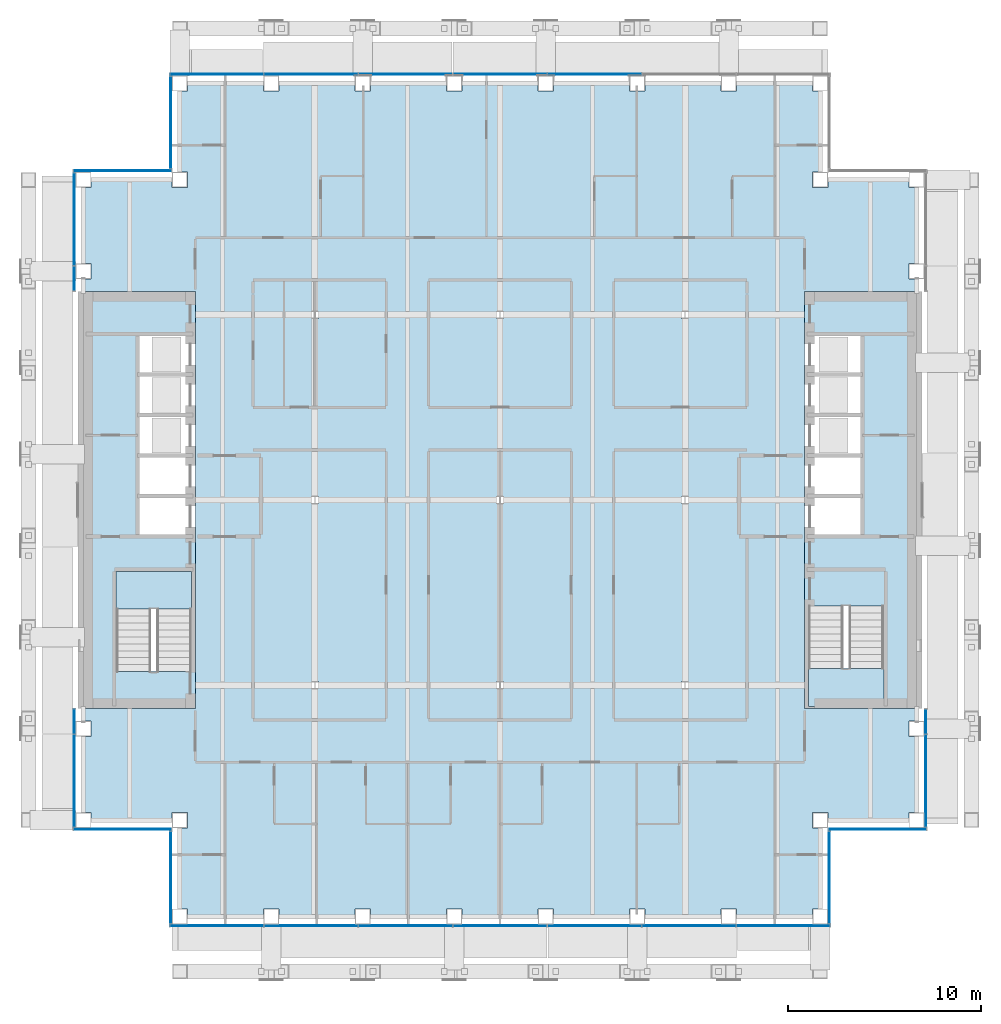
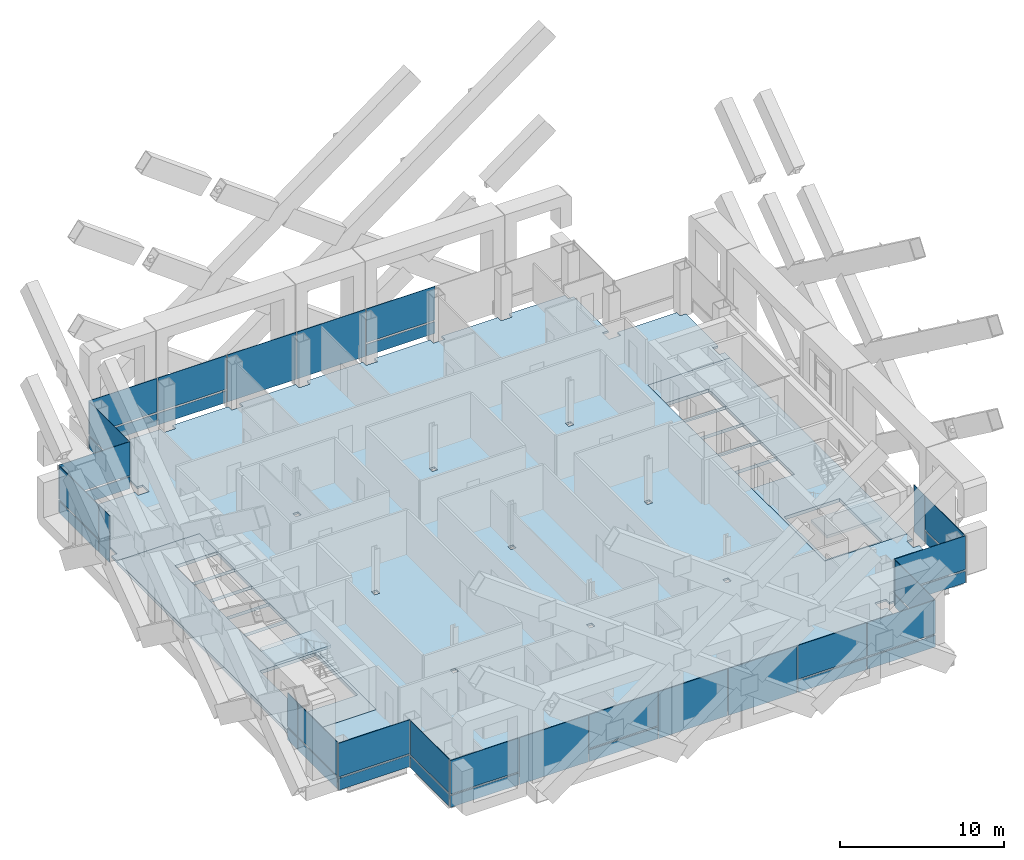
# One storey, part 12 of 25: 41 plates, 5 slabs, 13 elements without a shape of their own.
"""IFC4 building model written with IfcOpenShell, lengths in metres."""

import ifcopenshell
import ifcopenshell.guid

model = None  # the IFC model being written
_history = None  # IfcOwnerHistory: only IFC2X3 demands one
_inside = {}  # id of a spatial element -> (the spatial element, [elements in it])
_under = {}  # id of a project, library or spatial element -> (it, [spatial elements below it])
_declared = {}  # id of a project -> (the project, [libraries it declares])
_typed = {}  # id of a type object -> (the type object, [elements of that type])
_made_of = {}  # id of a material, layer set ... -> (it, [elements and type objects made of it])


def new_model(schema):
    """Start an empty IFC model of exactly this schema.

    Asked for "IFC4X3", IfcOpenShell would pick the latest addendum, in which some entities
    have other attributes; the version numbers below select the first issue.
    IFC2X3 requires an IfcOwnerHistory on every rooted entity: one is made here for all.
    """
    global model, _history
    if schema == "IFC4X3":
        model = ifcopenshell.file(schema_version=(4, 3, 0, 0))
    else:
        model = ifcopenshell.file(schema=schema)
    _inside.clear()
    _under.clear()
    _declared.clear()
    _typed.clear()
    _made_of.clear()
    _history = None
    if model.schema == "IFC2X3":
        org = make("IfcOrganization", Name="unknown")
        user = make(
            "IfcPersonAndOrganization",
            ThePerson=make("IfcPerson", FamilyName="unknown"),
            TheOrganization=org,
        )
        app = make(
            "IfcApplication",
            ApplicationDeveloper=org,
            Version="unknown",
            ApplicationFullName="unknown",
            ApplicationIdentifier="unknown",
        )
        _history = make(
            "IfcOwnerHistory",
            OwningUser=user,
            OwningApplication=app,
            ChangeAction="ADDED",
            CreationDate=0,
        )
    return model


def make(cls, **values):
    """One entity of the class cls with the attributes given. An attribute that is None is left unset."""
    return model.create_entity(
        cls, **{name: value for name, value in values.items() if value is not None}
    )


def rooted(cls, **values):
    """An entity with a GlobalId (a new one), such as an element, a storey or a relation."""
    return make(cls, GlobalId=ifcopenshell.guid.new(), OwnerHistory=_history, **values)


def si_unit(unit_type, name, prefix=None):
    """IfcSIUnit, for example si_unit("LENGTHUNIT", "METRE", prefix="MILLI")."""
    return make("IfcSIUnit", UnitType=unit_type, Prefix=prefix, Name=name)


def assignment(units):
    """IfcUnitAssignment: the units of a project."""
    return None if units is None else make("IfcUnitAssignment", Units=units)


def point(xyz):
    """IfcCartesianPoint."""
    return None if xyz is None else make("IfcCartesianPoint", Coordinates=xyz)


def direction(xyz):
    """IfcDirection."""
    return None if xyz is None else make("IfcDirection", DirectionRatios=xyz)


def frame(location, z_axis=None, x_axis=None):
    """IfcAxis2Placement3D, a coordinate frame: its origin and axes. An axis left out is left unset."""
    return make(
        "IfcAxis2Placement3D",
        Location=point(location),
        Axis=direction(z_axis),
        RefDirection=direction(x_axis),
    )


def frame_2d(location, x_axis=None):
    """IfcAxis2Placement2D, a coordinate frame in the plane: its origin and x axis."""
    return make(
        "IfcAxis2Placement2D", Location=point(location), RefDirection=direction(x_axis)
    )


def origin():
    """The frame at (0, 0, 0) with its axes left unset."""
    return frame((0.0, 0.0, 0.0))


def origin_2d():
    """The frame at (0, 0) in the plane with its x axis left unset."""
    return frame_2d((0.0, 0.0))


def place(relative_to, where):
    """IfcLocalPlacement: puts the frame where relative to a parent placement (None: the world)."""
    return make(
        "IfcLocalPlacement", PlacementRelTo=relative_to, RelativePlacement=where
    )


def context(
    kind, dimensions, precision=None, world=None, true_north=None, identifier=None
):
    """IfcGeometricRepresentationContext, for example the 3D "Model" context."""
    return make(
        "IfcGeometricRepresentationContext",
        ContextIdentifier=identifier,
        ContextType=kind,
        CoordinateSpaceDimension=dimensions,
        Precision=precision,
        WorldCoordinateSystem=world,
        TrueNorth=true_north,
    )


def subcontext(parent, identifier, kind, view, scale=None):
    """IfcGeometricRepresentationSubContext, for example "Body" below "Model"."""
    return make(
        "IfcGeometricRepresentationSubContext",
        ContextIdentifier=identifier,
        ContextType=kind,
        ParentContext=parent,
        TargetScale=scale,
        TargetView=view,
    )


def project(units=None, contexts=None):
    """IfcProject with its units and contexts."""
    return rooted(
        "IfcProject",
        Name="project",
        RepresentationContexts=contexts,
        UnitsInContext=assignment(units),
    )


def spatial(cls, under=None, at=None, **own):
    """A site, building, storey or space (cls), placed at a placement, below another one or the project."""
    s = rooted(cls, ObjectPlacement=at, **own)
    if under is not None:
        _under.setdefault(under.id(), (under, []))[1].append(s)
    return s


def polyline(points):
    """IfcPolyline through the points."""
    return make("IfcPolyline", Points=[point(p) for p in points])


def profile(cls, at=None, kind="AREA", **sizes):
    """A parametric profile (cls). Its sizes go by their IFC names, for example OverallWidth=200.0."""
    return make(cls, ProfileType=kind, Position=at, **sizes)


def rectangle(**sizes):
    """IfcRectangleProfileDef."""
    return profile("IfcRectangleProfileDef", **sizes)


def outline(outer, holes=None, kind="AREA"):
    """IfcArbitraryClosedProfileDef: a profile drawn as a closed curve; with holes, ...WithVoids."""
    if holes is None:
        return make("IfcArbitraryClosedProfileDef", ProfileType=kind, OuterCurve=outer)
    return make(
        "IfcArbitraryProfileDefWithVoids",
        ProfileType=kind,
        OuterCurve=outer,
        InnerCurves=holes,
    )


def extrude(swept, where, along, depth):
    """IfcExtrudedAreaSolid: the profile swept, set in the frame where, extruded along a direction by depth."""
    return make(
        "IfcExtrudedAreaSolid",
        SweptArea=swept,
        Position=where,
        ExtrudedDirection=direction(along),
        Depth=depth,
    )


def shape(context_of_items, identifier, shape_type, items):
    """IfcShapeRepresentation: the items that make up one representation, for example the "Body"."""
    return make(
        "IfcShapeRepresentation",
        ContextOfItems=context_of_items,
        RepresentationIdentifier=identifier,
        RepresentationType=shape_type,
        Items=items,
    )


def material(Name=None, Category=None):
    """IfcMaterial."""
    return make("IfcMaterial", Name=Name, Category=Category)


def layer(
    of_material, thickness, ventilated=None, Name=None, Category=None, Priority=None
):
    """IfcMaterialLayer: one layer of a wall or slab, of a material (None: an air gap)."""
    return make(
        "IfcMaterialLayer",
        Material=of_material,
        LayerThickness=thickness,
        IsVentilated=ventilated,
        Name=Name,
        Category=Category,
        Priority=Priority,
    )


def layer_set(layers, Name=None):
    """IfcMaterialLayerSet."""
    return make("IfcMaterialLayerSet", MaterialLayers=layers, LayerSetName=Name)


def made_of(thing, what):
    """Note that an element or type object is made of a material, layer set ...; save() writes the relation."""
    if what is not None:
        _made_of.setdefault(what.id(), (what, []))[1].append(thing)
    return thing


def type_object(cls, material=None, **own):
    """A type object (cls), such as IfcWallType, which elements share."""
    return made_of(rooted(cls, **own), material)


def element(
    cls,
    number,
    at=None,
    inside=None,
    cuts=None,
    type_object=None,
    material=None,
    context=None,
    identifier="Body",
    shape_type=None,
    held_by="IfcProductDefinitionShape",
    body=None,
    shapes=None,
    **own,
):
    """One element of the class cls, such as IfcWall. Its Tag is "e" and its number.

    at: its placement. inside: the storey or other place that contains it. cuts: it is an
    opening in that element (IfcRelVoidsElement). A single representation is given by context,
    identifier, shape_type and body (its items); several are given by shapes. held_by: the class
    of the entity that holds the representations. save() writes the other relations.
    """
    e = rooted(cls, Tag="e%d" % number, ObjectPlacement=at, **own)
    if body is not None:
        shapes = [shape(context, identifier, shape_type, body)]
    if shapes is not None:
        e.Representation = make(held_by, Representations=shapes)
    if inside is not None:
        _inside.setdefault(inside.id(), (inside, []))[1].append(e)
    if cuts is not None:
        rooted(
            "IfcRelVoidsElement", RelatingBuildingElement=cuts, RelatedOpeningElement=e
        )
    if type_object is not None:
        _typed.setdefault(type_object.id(), (type_object, []))[1].append(e)
    return made_of(e, material)


def aggregate(whole, parts):
    """IfcRelAggregates: a whole, such as a stair, and the parts it consists of."""
    return rooted("IfcRelAggregates", RelatingObject=whole, RelatedObjects=parts)


def save(model, path):
    """Write the relations noted so far, then the file.

    IfcRelAggregates (storeys below a building ...), IfcRelContainedInSpatialStructure (elements
    in a storey), IfcRelDefinesByType, IfcRelAssociatesMaterial and IfcRelDeclares: one each for
    every whole, place, type object, material and project.
    """
    for whole, parts in _under.values():
        aggregate(whole, parts)
    for where, things in _inside.values():
        rooted(
            "IfcRelContainedInSpatialStructure",
            RelatedElements=things,
            RelatingStructure=where,
        )
    for kind, things in _typed.values():
        rooted("IfcRelDefinesByType", RelatedObjects=things, RelatingType=kind)
    for what, things in _made_of.values():
        rooted("IfcRelAssociatesMaterial", RelatedObjects=things, RelatingMaterial=what)
    for by, libraries in _declared.values():
        rooted("IfcRelDeclares", RelatingContext=by, RelatedDefinitions=libraries)
    model.write(path)


model = new_model("IFC4")

# Units and contexts
model_context = context("Model", 3, precision=1e-05, world=origin(), true_north=direction((0.0, 1.0)))
body_context = subcontext(model_context, "Body", "Model", "MODEL_VIEW")
ifc_project = project(units=[si_unit("LENGTHUNIT", "METRE"), si_unit("AREAUNIT", "SQUARE_METRE"), si_unit("VOLUMEUNIT", "CUBIC_METRE"), si_unit("PLANEANGLEUNIT", "RADIAN"), si_unit("MASSUNIT", "GRAM", prefix="KILO")], contexts=[model_context])

# Site, building, storey
site_placement = place(None, origin())
site = spatial("IfcSite", under=ifc_project, at=site_placement, CompositionType="ELEMENT")
building_placement = place(site_placement, origin())
building = spatial("IfcBuilding", under=site, at=building_placement, Name="Cobrizo Arcos Hotel Tower", CompositionType="ELEMENT")
storey_placement = place(building_placement, frame((0.0, 0.0, 148.0)))
storey = spatial("IfcBuildingStorey", under=building, at=storey_placement, Name="L37", CompositionType="ELEMENT", Elevation=148.0)

# Curtain wall, plates
ifc_material_1 = material(Name="Aluminium 6063-T6 anodised bronze", Category="aluminium")
curtain_wall_type = type_object("IfcCurtainWallType", Name="CW-A guest facade", PredefinedType="NOTDEFINED", material=ifc_material_1)
curtain_wall_1_placement = place(storey_placement, origin())
curtain_wall_1 = element("IfcCurtainWall", 1, at=curtain_wall_1_placement, inside=storey, type_object=curtain_wall_type, Name="CW-A L37 S face", PredefinedType="NOTDEFINED")
ifc_material_2 = material(Name="Glass clear laminated low-e", Category="glass")
ifc_layer_1 = layer(ifc_material_2, 0.0400390625)
ifc_layer_set_1 = layer_set([ifc_layer_1], Name="CW-A glass panel")
plate_type_1 = type_object("IfcPlateType", Name="CW-A glass panel", PredefinedType="CURTAIN_PANEL", material=ifc_layer_set_1)
plate_1_placement = place(storey_placement, frame((-14.68505859375, -22.074951171875, 0.990234375), z_axis=(0.0, 0.0, 1.0), x_axis=(1.0, 0.0, 0.0)))
plate_1 = element("IfcPlate", 2, at=plate_1_placement, type_object=plate_type_1, Name="CW-A glass panel 1336", PredefinedType="CURTAIN_PANEL", context=body_context, shape_type="SweptSolid", body=[
    extrude(rectangle(XDim=4.81005859375, YDim=0.0400390625, at=origin_2d()), origin(), (0.0, 0.0, 1.0), 2.510009765625),
])
plate_2_placement = place(storey_placement, frame((-4.89990234375, -22.074951171875, 0.990234375), z_axis=(0.0, 0.0, 1.0), x_axis=(1.0, 0.0, 0.0)))
plate_2 = element("IfcPlate", 3, at=plate_2_placement, type_object=plate_type_1, Name="CW-A glass panel 1338", PredefinedType="CURTAIN_PANEL", context=body_context, shape_type="SweptSolid", body=[
    extrude(rectangle(XDim=4.840087890625, YDim=0.0400390625, at=origin_2d()), origin(), (0.0, 0.0, 1.0), 2.510009765625),
])
plate_3_placement = place(storey_placement, frame((9.800048828125, -22.074951171875, 0.990234375), z_axis=(0.0, 0.0, 1.0), x_axis=(1.0, 0.0, 0.0)))
plate_3 = element("IfcPlate", 4, at=plate_3_placement, type_object=plate_type_1, Name="CW-A glass panel 1341", PredefinedType="CURTAIN_PANEL", context=body_context, shape_type="SweptSolid", body=[
    extrude(rectangle(XDim=4.840087890625, YDim=0.0400390625, at=origin_2d()), origin(), (0.0, 0.0, 1.0), 2.510009765625),
])
plate_4_placement = place(storey_placement, frame((14.68505859375, -22.074951171875, 0.990234375), z_axis=(0.0, 0.0, 1.0), x_axis=(1.0, 0.0, 0.0)))
plate_4 = element("IfcPlate", 5, at=plate_4_placement, type_object=plate_type_1, Name="CW-A glass panel 1342", PredefinedType="CURTAIN_PANEL", context=body_context, shape_type="SweptSolid", body=[
    extrude(rectangle(XDim=4.81005859375, YDim=0.0400390625, at=origin_2d()), origin(), (0.0, 0.0, 1.0), 2.510009765625),
])

# Curtain wall, plate
curtain_wall_2_placement = place(storey_placement, origin())
curtain_wall_2 = element("IfcCurtainWall", 6, at=curtain_wall_2_placement, inside=storey, type_object=curtain_wall_type, Name="CW-A L37 E face", PredefinedType="NOTDEFINED")
plate_5_placement = place(storey_placement, frame((17.074951171875, -19.574951171875, 0.990234375), z_axis=(0.0, 0.0, 1.0), x_axis=(0.0, 1.0, 0.0)))
plate_5 = element("IfcPlate", 7, at=plate_5_placement, type_object=plate_type_1, Name="CW-A glass panel 1343", PredefinedType="CURTAIN_PANEL", context=body_context, shape_type="SweptSolid", body=[
    extrude(rectangle(XDim=4.72998046875, YDim=0.0400390625, at=origin_2d()), origin(), (0.0, 0.0, 1.0), 2.510009765625),
])

curtain_wall_3_placement = place(storey_placement, origin())
curtain_wall_3 = element("IfcCurtainWall", 8, at=curtain_wall_3_placement, inside=storey, type_object=curtain_wall_type, Name="CW-A L37 S face", PredefinedType="NOTDEFINED")
plate_6_placement = place(storey_placement, frame((19.574951171875, -17.074951171875, 0.990234375), z_axis=(0.0, 0.0, 1.0), x_axis=(1.0, 0.0, 0.0)))
plate_6 = element("IfcPlate", 9, at=plate_6_placement, type_object=plate_type_1, Name="CW-A glass panel 1344", PredefinedType="CURTAIN_PANEL", context=body_context, shape_type="SweptSolid", body=[
    extrude(rectangle(XDim=5.030029296875, YDim=0.0400390625, at=origin_2d()), origin(), (0.0, 0.0, 1.0), 2.510009765625),
])

curtain_wall_4_placement = place(storey_placement, origin())
curtain_wall_4 = element("IfcCurtainWall", 10, at=curtain_wall_4_placement, inside=storey, type_object=curtain_wall_type, Name="CW-A L37 E face", PredefinedType="NOTDEFINED")
plate_7_placement = place(storey_placement, frame((22.074951171875, -14.556396484375, 0.990234375), z_axis=(0.0, 0.0, 1.0), x_axis=(0.0, 1.0, 0.0)))
plate_7 = element("IfcPlate", 11, at=plate_7_placement, type_object=plate_type_1, Name="CW-A glass panel 1345", PredefinedType="CURTAIN_PANEL", context=body_context, shape_type="SweptSolid", body=[
    extrude(rectangle(XDim=4.76708984375, YDim=0.0400390625, at=origin_2d()), origin(), (0.0, 0.0, 1.0), 2.510009765625),
])

# Curtain wall, plates
curtain_wall_5_placement = place(storey_placement, origin())
curtain_wall_5 = element("IfcCurtainWall", 12, at=curtain_wall_5_placement, inside=storey, type_object=curtain_wall_type, Name="CW-A L37 N face", PredefinedType="NOTDEFINED")
plate_8_placement = place(storey_placement, frame((4.89990234375, 22.074951171875, 0.990234375), z_axis=(0.0, 0.0, 1.0), x_axis=(-1.0, 0.0, 0.0)))
plate_8 = element("IfcPlate", 13, at=plate_8_placement, type_object=plate_type_1, Name="CW-A glass panel 1353", PredefinedType="CURTAIN_PANEL", context=body_context, shape_type="SweptSolid", body=[
    extrude(rectangle(XDim=4.840087890625, YDim=0.0400390625, at=origin_2d()), origin(), (0.0, 0.0, 1.0), 2.510009765625),
])
plate_9_placement = place(storey_placement, frame((-9.800048828125, 22.074951171875, 0.990234375), z_axis=(0.0, 0.0, 1.0), x_axis=(-1.0, 0.0, 0.0)))
plate_9 = element("IfcPlate", 14, at=plate_9_placement, type_object=plate_type_1, Name="CW-A glass panel 1356", PredefinedType="CURTAIN_PANEL", context=body_context, shape_type="SweptSolid", body=[
    extrude(rectangle(XDim=4.840087890625, YDim=0.0400390625, at=origin_2d()), origin(), (0.0, 0.0, 1.0), 2.510009765625),
])
plate_10_placement = place(storey_placement, frame((-14.68505859375, 22.074951171875, 0.990234375), z_axis=(0.0, 0.0, 1.0), x_axis=(-1.0, 0.0, 0.0)))
plate_10 = element("IfcPlate", 15, at=plate_10_placement, type_object=plate_type_1, Name="CW-A glass panel 1357", PredefinedType="CURTAIN_PANEL", context=body_context, shape_type="SweptSolid", body=[
    extrude(rectangle(XDim=4.81005859375, YDim=0.0400390625, at=origin_2d()), origin(), (0.0, 0.0, 1.0), 2.510009765625),
])

# Curtain wall, plate
curtain_wall_6_placement = place(storey_placement, origin())
curtain_wall_6 = element("IfcCurtainWall", 16, at=curtain_wall_6_placement, inside=storey, type_object=curtain_wall_type, Name="CW-A L37 W face", PredefinedType="NOTDEFINED")
plate_11_placement = place(storey_placement, frame((-17.074951171875, 19.574951171875, 0.990234375), z_axis=(0.0, 0.0, 1.0), x_axis=(0.0, -1.0, 0.0)))
plate_11 = element("IfcPlate", 17, at=plate_11_placement, type_object=plate_type_1, Name="CW-A glass panel 1358", PredefinedType="CURTAIN_PANEL", context=body_context, shape_type="SweptSolid", body=[
    extrude(rectangle(XDim=4.72998046875, YDim=0.0400390625, at=origin_2d()), origin(), (0.0, 0.0, 1.0), 2.510009765625),
])

curtain_wall_7_placement = place(storey_placement, origin())
curtain_wall_7 = element("IfcCurtainWall", 18, at=curtain_wall_7_placement, inside=storey, type_object=curtain_wall_type, Name="CW-A L37 N face", PredefinedType="NOTDEFINED")
plate_12_placement = place(storey_placement, frame((-19.574951171875, 17.074951171875, 0.990234375), z_axis=(0.0, 0.0, 1.0), x_axis=(-1.0, 0.0, 0.0)))
plate_12 = element("IfcPlate", 19, at=plate_12_placement, type_object=plate_type_1, Name="CW-A glass panel 1359", PredefinedType="CURTAIN_PANEL", context=body_context, shape_type="SweptSolid", body=[
    extrude(rectangle(XDim=5.030029296875, YDim=0.0400390625, at=origin_2d()), origin(), (0.0, 0.0, 1.0), 2.510009765625),
])

curtain_wall_8_placement = place(storey_placement, origin())
curtain_wall_8 = element("IfcCurtainWall", 20, at=curtain_wall_8_placement, inside=storey, type_object=curtain_wall_type, Name="CW-A L37 W face", PredefinedType="NOTDEFINED")
plate_13_placement = place(storey_placement, frame((-22.074951171875, 14.556396484375, 0.990234375), z_axis=(0.0, 0.0, 1.0), x_axis=(0.0, -1.0, 0.0)))
plate_13 = element("IfcPlate", 21, at=plate_13_placement, type_object=plate_type_1, Name="CW-A glass panel 1360", PredefinedType="CURTAIN_PANEL", context=body_context, shape_type="SweptSolid", body=[
    extrude(rectangle(XDim=4.76708984375, YDim=0.0400390625, at=origin_2d()), origin(), (0.0, 0.0, 1.0), 2.510009765625),
])

# Curtain wall, plates
curtain_wall_9_placement = place(storey_placement, origin())
curtain_wall_9 = element("IfcCurtainWall", 22, at=curtain_wall_9_placement, inside=storey, type_object=curtain_wall_type, Name="CW-A L37 W face", PredefinedType="NOTDEFINED")
plate_14_placement = place(storey_placement, frame((-22.074951171875, -11.486328125, 0.990234375), z_axis=(0.0, 0.0, 1.0), x_axis=(0.0, -1.0, 0.0)))
plate_14 = element("IfcPlate", 23, at=plate_14_placement, type_object=plate_type_1, Name="CW-A glass panel 1362", PredefinedType="CURTAIN_PANEL", context=body_context, shape_type="SweptSolid", body=[
    extrude(rectangle(XDim=1.2529296875, YDim=0.0400390625, at=origin_2d()), origin(), (0.0, 0.0, 1.0), 2.510009765625),
])
plate_15_placement = place(storey_placement, frame((-22.074951171875, -14.556396484375, 0.990234375), z_axis=(0.0, 0.0, 1.0), x_axis=(0.0, -1.0, 0.0)))
plate_15 = element("IfcPlate", 24, at=plate_15_placement, type_object=plate_type_1, Name="CW-A glass panel 1363", PredefinedType="CURTAIN_PANEL", context=body_context, shape_type="SweptSolid", body=[
    extrude(rectangle(XDim=4.76708984375, YDim=0.0400390625, at=origin_2d()), origin(), (0.0, 0.0, 1.0), 2.510009765625),
])

# Curtain wall, plate
curtain_wall_10_placement = place(storey_placement, origin())
curtain_wall_10 = element("IfcCurtainWall", 25, at=curtain_wall_10_placement, inside=storey, type_object=curtain_wall_type, Name="CW-A L37 S face", PredefinedType="NOTDEFINED")
plate_16_placement = place(storey_placement, frame((-19.574951171875, -17.074951171875, 0.990234375), z_axis=(0.0, 0.0, 1.0), x_axis=(1.0, 0.0, 0.0)))
plate_16 = element("IfcPlate", 26, at=plate_16_placement, type_object=plate_type_1, Name="CW-A glass panel 1364", PredefinedType="CURTAIN_PANEL", context=body_context, shape_type="SweptSolid", body=[
    extrude(rectangle(XDim=5.030029296875, YDim=0.0400390625, at=origin_2d()), origin(), (0.0, 0.0, 1.0), 2.510009765625),
])

curtain_wall_11_placement = place(storey_placement, origin())
curtain_wall_11 = element("IfcCurtainWall", 27, at=curtain_wall_11_placement, inside=storey, type_object=curtain_wall_type, Name="CW-A L37 W face", PredefinedType="NOTDEFINED")
plate_17_placement = place(storey_placement, frame((-17.074951171875, -19.574951171875, 0.990234375), z_axis=(0.0, 0.0, 1.0), x_axis=(0.0, -1.0, 0.0)))
plate_17 = element("IfcPlate", 28, at=plate_17_placement, type_object=plate_type_1, Name="CW-A glass panel 1365", PredefinedType="CURTAIN_PANEL", context=body_context, shape_type="SweptSolid", body=[
    extrude(rectangle(XDim=4.72998046875, YDim=0.0400390625, at=origin_2d()), origin(), (0.0, 0.0, 1.0), 2.510009765625),
])

# Plate
ifc_material_3 = material(Name="Aluminium composite panel pale metal", Category="aluminium")
ifc_layer_2 = layer(ifc_material_3, 0.0400390625)
ifc_layer_set_2 = layer_set([ifc_layer_2], Name="CW-A spandrel panel")
plate_type_2 = type_object("IfcPlateType", Name="CW-A spandrel panel", PredefinedType="CURTAIN_PANEL", material=ifc_layer_set_2)
plate_18_placement = place(storey_placement, frame((-14.68505859375, -22.074951171875, 0.0), z_axis=(0.0, 0.0, 1.0), x_axis=(1.0, 0.0, 0.0)))
plate_18 = element("IfcPlate", 29, at=plate_18_placement, type_object=plate_type_2, Name="CW-A spandrel panel 1336", PredefinedType="CURTAIN_PANEL", context=body_context, shape_type="SweptSolid", body=[
    extrude(rectangle(XDim=4.81005859375, YDim=0.0400390625, at=origin_2d()), origin(), (0.0, 0.0, 1.0), 0.8701171875),
])

plate_19_placement = place(storey_placement, frame((-9.800048828125, -22.074951171875, 0.0), z_axis=(0.0, 0.0, 1.0), x_axis=(1.0, 0.0, 0.0)))
plate_19 = element("IfcPlate", 30, at=plate_19_placement, type_object=plate_type_2, Name="CW-A spandrel panel 1337", PredefinedType="CURTAIN_PANEL", context=body_context, shape_type="SweptSolid", body=[
    extrude(rectangle(XDim=4.840087890625, YDim=0.0400390625, at=origin_2d()), origin(), (0.0, 0.0, 1.0), 3.5),
])

plate_20_placement = place(storey_placement, frame((-4.89990234375, -22.074951171875, 0.0), z_axis=(0.0, 0.0, 1.0), x_axis=(1.0, 0.0, 0.0)))
plate_20 = element("IfcPlate", 31, at=plate_20_placement, type_object=plate_type_2, Name="CW-A spandrel panel 1338", PredefinedType="CURTAIN_PANEL", context=body_context, shape_type="SweptSolid", body=[
    extrude(rectangle(XDim=4.840087890625, YDim=0.0400390625, at=origin_2d()), origin(), (0.0, 0.0, 1.0), 0.8701171875),
])

plate_21_placement = place(storey_placement, frame((0.0, -22.074951171875, 0.0), z_axis=(0.0, 0.0, 1.0), x_axis=(1.0, 0.0, 0.0)))
plate_21 = element("IfcPlate", 32, at=plate_21_placement, type_object=plate_type_2, Name="CW-A spandrel panel 1339", PredefinedType="CURTAIN_PANEL", context=body_context, shape_type="SweptSolid", body=[
    extrude(rectangle(XDim=4.840087890625, YDim=0.0400390625, at=origin_2d()), origin(), (0.0, 0.0, 1.0), 3.5),
])

plate_22_placement = place(storey_placement, frame((4.89990234375, -22.074951171875, 0.0), z_axis=(0.0, 0.0, 1.0), x_axis=(1.0, 0.0, 0.0)))
plate_22 = element("IfcPlate", 33, at=plate_22_placement, type_object=plate_type_2, Name="CW-A spandrel panel 1340", PredefinedType="CURTAIN_PANEL", context=body_context, shape_type="SweptSolid", body=[
    extrude(rectangle(XDim=4.840087890625, YDim=0.0400390625, at=origin_2d()), origin(), (0.0, 0.0, 1.0), 3.5),
])

plate_23_placement = place(storey_placement, frame((9.800048828125, -22.074951171875, 0.0), z_axis=(0.0, 0.0, 1.0), x_axis=(1.0, 0.0, 0.0)))
plate_23 = element("IfcPlate", 34, at=plate_23_placement, type_object=plate_type_2, Name="CW-A spandrel panel 1341", PredefinedType="CURTAIN_PANEL", context=body_context, shape_type="SweptSolid", body=[
    extrude(rectangle(XDim=4.840087890625, YDim=0.0400390625, at=origin_2d()), origin(), (0.0, 0.0, 1.0), 0.8701171875),
])

plate_24_placement = place(storey_placement, frame((14.68505859375, -22.074951171875, 0.0), z_axis=(0.0, 0.0, 1.0), x_axis=(1.0, 0.0, 0.0)))
plate_24 = element("IfcPlate", 35, at=plate_24_placement, type_object=plate_type_2, Name="CW-A spandrel panel 1342", PredefinedType="CURTAIN_PANEL", context=body_context, shape_type="SweptSolid", body=[
    extrude(rectangle(XDim=4.81005859375, YDim=0.0400390625, at=origin_2d()), origin(), (0.0, 0.0, 1.0), 0.8701171875),
])

aggregate(curtain_wall_1, [plate_18, plate_1, plate_19, plate_20, plate_2, plate_21, plate_22, plate_23, plate_3, plate_24, plate_4])

plate_25_placement = place(storey_placement, frame((17.074951171875, -19.574951171875, 0.0), z_axis=(0.0, 0.0, 1.0), x_axis=(0.0, 1.0, 0.0)))
plate_25 = element("IfcPlate", 36, at=plate_25_placement, type_object=plate_type_2, Name="CW-A spandrel panel 1343", PredefinedType="CURTAIN_PANEL", context=body_context, shape_type="SweptSolid", body=[
    extrude(rectangle(XDim=4.72998046875, YDim=0.0400390625, at=origin_2d()), origin(), (0.0, 0.0, 1.0), 0.8701171875),
])

aggregate(curtain_wall_2, [plate_25, plate_5])

plate_26_placement = place(storey_placement, frame((19.574951171875, -17.074951171875, 0.0), z_axis=(0.0, 0.0, 1.0), x_axis=(1.0, 0.0, 0.0)))
plate_26 = element("IfcPlate", 37, at=plate_26_placement, type_object=plate_type_2, Name="CW-A spandrel panel 1344", PredefinedType="CURTAIN_PANEL", context=body_context, shape_type="SweptSolid", body=[
    extrude(rectangle(XDim=5.030029296875, YDim=0.0400390625, at=origin_2d()), origin(), (0.0, 0.0, 1.0), 0.8701171875),
])

aggregate(curtain_wall_3, [plate_26, plate_6])

plate_27_placement = place(storey_placement, frame((22.074951171875, -14.556396484375, 0.0), z_axis=(0.0, 0.0, 1.0), x_axis=(0.0, 1.0, 0.0)))
plate_27 = element("IfcPlate", 38, at=plate_27_placement, type_object=plate_type_2, Name="CW-A spandrel panel 1345", PredefinedType="CURTAIN_PANEL", context=body_context, shape_type="SweptSolid", body=[
    extrude(rectangle(XDim=4.76708984375, YDim=0.0400390625, at=origin_2d()), origin(), (0.0, 0.0, 1.0), 0.8701171875),
])

plate_28_placement = place(storey_placement, frame((22.074951171875, -11.486328125, 0.0), z_axis=(0.0, 0.0, 1.0), x_axis=(0.0, 1.0, 0.0)))
plate_28 = element("IfcPlate", 39, at=plate_28_placement, type_object=plate_type_2, Name="CW-A spandrel panel 1346", PredefinedType="CURTAIN_PANEL", context=body_context, shape_type="SweptSolid", body=[
    extrude(rectangle(XDim=1.2529296875, YDim=0.0400390625, at=origin_2d()), origin(), (0.0, 0.0, 1.0), 3.5),
])

aggregate(curtain_wall_4, [plate_27, plate_7, plate_28])

plate_29_placement = place(storey_placement, frame((4.89990234375, 22.074951171875, 0.0), z_axis=(0.0, 0.0, 1.0), x_axis=(-1.0, 0.0, 0.0)))
plate_29 = element("IfcPlate", 40, at=plate_29_placement, type_object=plate_type_2, Name="CW-A spandrel panel 1353", PredefinedType="CURTAIN_PANEL", context=body_context, shape_type="SweptSolid", body=[
    extrude(rectangle(XDim=4.840087890625, YDim=0.0400390625, at=origin_2d()), origin(), (0.0, 0.0, 1.0), 0.8701171875),
])

plate_30_placement = place(storey_placement, frame((0.0, 22.074951171875, 0.0), z_axis=(0.0, 0.0, 1.0), x_axis=(-1.0, 0.0, 0.0)))
plate_30 = element("IfcPlate", 41, at=plate_30_placement, type_object=plate_type_2, Name="CW-A spandrel panel 1354", PredefinedType="CURTAIN_PANEL", context=body_context, shape_type="SweptSolid", body=[
    extrude(rectangle(XDim=4.840087890625, YDim=0.0400390625, at=origin_2d()), origin(), (0.0, 0.0, 1.0), 3.5),
])

plate_31_placement = place(storey_placement, frame((-4.89990234375, 22.074951171875, 0.0), z_axis=(0.0, 0.0, 1.0), x_axis=(-1.0, 0.0, 0.0)))
plate_31 = element("IfcPlate", 42, at=plate_31_placement, type_object=plate_type_2, Name="CW-A spandrel panel 1355", PredefinedType="CURTAIN_PANEL", context=body_context, shape_type="SweptSolid", body=[
    extrude(rectangle(XDim=4.840087890625, YDim=0.0400390625, at=origin_2d()), origin(), (0.0, 0.0, 1.0), 3.5),
])

plate_32_placement = place(storey_placement, frame((-9.800048828125, 22.074951171875, 0.0), z_axis=(0.0, 0.0, 1.0), x_axis=(-1.0, 0.0, 0.0)))
plate_32 = element("IfcPlate", 43, at=plate_32_placement, type_object=plate_type_2, Name="CW-A spandrel panel 1356", PredefinedType="CURTAIN_PANEL", context=body_context, shape_type="SweptSolid", body=[
    extrude(rectangle(XDim=4.840087890625, YDim=0.0400390625, at=origin_2d()), origin(), (0.0, 0.0, 1.0), 0.8701171875),
])

plate_33_placement = place(storey_placement, frame((-14.68505859375, 22.074951171875, 0.0), z_axis=(0.0, 0.0, 1.0), x_axis=(-1.0, 0.0, 0.0)))
plate_33 = element("IfcPlate", 44, at=plate_33_placement, type_object=plate_type_2, Name="CW-A spandrel panel 1357", PredefinedType="CURTAIN_PANEL", context=body_context, shape_type="SweptSolid", body=[
    extrude(rectangle(XDim=4.81005859375, YDim=0.0400390625, at=origin_2d()), origin(), (0.0, 0.0, 1.0), 0.8701171875),
])

aggregate(curtain_wall_5, [plate_29, plate_8, plate_30, plate_31, plate_32, plate_9, plate_33, plate_10])

plate_34_placement = place(storey_placement, frame((-17.074951171875, 19.574951171875, 0.0), z_axis=(0.0, 0.0, 1.0), x_axis=(0.0, -1.0, 0.0)))
plate_34 = element("IfcPlate", 45, at=plate_34_placement, type_object=plate_type_2, Name="CW-A spandrel panel 1358", PredefinedType="CURTAIN_PANEL", context=body_context, shape_type="SweptSolid", body=[
    extrude(rectangle(XDim=4.72998046875, YDim=0.0400390625, at=origin_2d()), origin(), (0.0, 0.0, 1.0), 0.8701171875),
])

aggregate(curtain_wall_6, [plate_34, plate_11])

plate_35_placement = place(storey_placement, frame((-19.574951171875, 17.074951171875, 0.0), z_axis=(0.0, 0.0, 1.0), x_axis=(-1.0, 0.0, 0.0)))
plate_35 = element("IfcPlate", 46, at=plate_35_placement, type_object=plate_type_2, Name="CW-A spandrel panel 1359", PredefinedType="CURTAIN_PANEL", context=body_context, shape_type="SweptSolid", body=[
    extrude(rectangle(XDim=5.030029296875, YDim=0.0400390625, at=origin_2d()), origin(), (0.0, 0.0, 1.0), 0.8701171875),
])

aggregate(curtain_wall_7, [plate_35, plate_12])

plate_36_placement = place(storey_placement, frame((-22.074951171875, 14.556396484375, 0.0), z_axis=(0.0, 0.0, 1.0), x_axis=(0.0, -1.0, 0.0)))
plate_36 = element("IfcPlate", 47, at=plate_36_placement, type_object=plate_type_2, Name="CW-A spandrel panel 1360", PredefinedType="CURTAIN_PANEL", context=body_context, shape_type="SweptSolid", body=[
    extrude(rectangle(XDim=4.76708984375, YDim=0.0400390625, at=origin_2d()), origin(), (0.0, 0.0, 1.0), 0.8701171875),
])

plate_37_placement = place(storey_placement, frame((-22.074951171875, 11.486328125, 0.0), z_axis=(0.0, 0.0, 1.0), x_axis=(0.0, -1.0, 0.0)))
plate_37 = element("IfcPlate", 48, at=plate_37_placement, type_object=plate_type_2, Name="CW-A spandrel panel 1361", PredefinedType="CURTAIN_PANEL", context=body_context, shape_type="SweptSolid", body=[
    extrude(rectangle(XDim=1.2529296875, YDim=0.0400390625, at=origin_2d()), origin(), (0.0, 0.0, 1.0), 3.5),
])

aggregate(curtain_wall_8, [plate_36, plate_13, plate_37])

plate_38_placement = place(storey_placement, frame((-22.074951171875, -11.486328125, 0.0), z_axis=(0.0, 0.0, 1.0), x_axis=(0.0, -1.0, 0.0)))
plate_38 = element("IfcPlate", 49, at=plate_38_placement, type_object=plate_type_2, Name="CW-A spandrel panel 1362", PredefinedType="CURTAIN_PANEL", context=body_context, shape_type="SweptSolid", body=[
    extrude(rectangle(XDim=1.2529296875, YDim=0.0400390625, at=origin_2d()), origin(), (0.0, 0.0, 1.0), 0.8701171875),
])

plate_39_placement = place(storey_placement, frame((-22.074951171875, -14.556396484375, 0.0), z_axis=(0.0, 0.0, 1.0), x_axis=(0.0, -1.0, 0.0)))
plate_39 = element("IfcPlate", 50, at=plate_39_placement, type_object=plate_type_2, Name="CW-A spandrel panel 1363", PredefinedType="CURTAIN_PANEL", context=body_context, shape_type="SweptSolid", body=[
    extrude(rectangle(XDim=4.76708984375, YDim=0.0400390625, at=origin_2d()), origin(), (0.0, 0.0, 1.0), 0.8701171875),
])

aggregate(curtain_wall_9, [plate_38, plate_14, plate_39, plate_15])

plate_40_placement = place(storey_placement, frame((-19.574951171875, -17.074951171875, 0.0), z_axis=(0.0, 0.0, 1.0), x_axis=(1.0, 0.0, 0.0)))
plate_40 = element("IfcPlate", 51, at=plate_40_placement, type_object=plate_type_2, Name="CW-A spandrel panel 1364", PredefinedType="CURTAIN_PANEL", context=body_context, shape_type="SweptSolid", body=[
    extrude(rectangle(XDim=5.030029296875, YDim=0.0400390625, at=origin_2d()), origin(), (0.0, 0.0, 1.0), 0.8701171875),
])

aggregate(curtain_wall_10, [plate_40, plate_16])

plate_41_placement = place(storey_placement, frame((-17.074951171875, -19.574951171875, 0.0), z_axis=(0.0, 0.0, 1.0), x_axis=(0.0, -1.0, 0.0)))
plate_41 = element("IfcPlate", 52, at=plate_41_placement, type_object=plate_type_2, Name="CW-A spandrel panel 1365", PredefinedType="CURTAIN_PANEL", context=body_context, shape_type="SweptSolid", body=[
    extrude(rectangle(XDim=4.72998046875, YDim=0.0400390625, at=origin_2d()), origin(), (0.0, 0.0, 1.0), 0.8701171875),
])

aggregate(curtain_wall_11, [plate_41, plate_17])

# Slabs
ifc_material_4 = material(Name="Concrete f'c 35 MPa", Category="concrete")
ifc_layer_3 = layer(ifc_material_4, 0.14990234375)
ifc_layer_set_3 = layer_set([ifc_layer_3], Name="Composite floor slab 150 f'c 35")
slab_type_1 = type_object("IfcSlabType", Name="Composite floor slab 150 f'c 35", PredefinedType="FLOOR", material=ifc_layer_set_3)
slab_1_placement = place(storey_placement, frame((0.0, 0.0, -0.14990234375)))
element("IfcSlab", 53, at=slab_1_placement, inside=storey, type_object=slab_type_1, Name="Floor slab S5, L37, no. 01", PredefinedType="FLOOR", context=body_context, shape_type="SweptSolid", body=[
    extrude(outline(polyline([(-16.199951171875, -21.60009765625), (-16.199951171875, -21.199951171875), (-16.60009765625, -21.199951171875), (-16.60009765625, -17.0), (-16.199951171875, -17.0), (-16.199951171875, -16.199951171875), (-17.0, -16.199951171875), (-17.0, -16.60009765625), (-21.199951171875, -16.60009765625), (-21.199951171875, -16.199951171875), (-21.60009765625, -16.199951171875), (-21.60009765625, -12.257080078125), (-21.199951171875, -12.257080078125), (-21.199951171875, -11.45703125), (-21.60009765625, -11.45703125), (-21.60009765625, -10.800048828125), (-15.800048828125, -10.800048828125), (-15.800048828125, 10.800048828125), (-21.60009765625, 10.800048828125), (-21.60009765625, 11.45703125), (-21.199951171875, 11.45703125), (-21.199951171875, 12.257080078125), (-21.60009765625, 12.257080078125), (-21.60009765625, 16.199951171875), (-21.199951171875, 16.199951171875), (-21.199951171875, 16.60009765625), (-17.0, 16.60009765625), (-17.0, 16.199951171875), (-16.199951171875, 16.199951171875), (-16.199951171875, 17.0), (-16.60009765625, 17.0), (-16.60009765625, 21.199951171875), (-16.199951171875, 21.199951171875), (-16.199951171875, 21.60009765625), (-12.257080078125, 21.60009765625), (-12.257080078125, 21.199951171875), (-11.45703125, 21.199951171875), (-11.45703125, 21.60009765625), (-7.513916015625, 21.60009765625), (-7.513916015625, 21.199951171875), (-6.714111328125, 21.199951171875), (-6.714111328125, 21.60009765625), (-2.77099609375, 21.60009765625), (-2.77099609375, 21.199951171875), (-1.970947265625, 21.199951171875), (-1.970947265625, 21.60009765625), (1.970947265625, 21.60009765625), (1.970947265625, 21.199951171875), (2.77099609375, 21.199951171875), (2.77099609375, 21.60009765625), (6.714111328125, 21.60009765625), (6.714111328125, 21.199951171875), (7.513916015625, 21.199951171875), (7.513916015625, 21.60009765625), (11.45703125, 21.60009765625), (11.45703125, 21.199951171875), (12.257080078125, 21.199951171875), (12.257080078125, 21.60009765625), (16.199951171875, 21.60009765625), (16.199951171875, 21.199951171875), (16.60009765625, 21.199951171875), (16.60009765625, 17.0), (16.199951171875, 17.0), (16.199951171875, 16.199951171875), (17.0, 16.199951171875), (17.0, 16.60009765625), (21.199951171875, 16.60009765625), (21.199951171875, 16.199951171875), (21.60009765625, 16.199951171875), (21.60009765625, 12.257080078125), (21.199951171875, 12.257080078125), (21.199951171875, 11.45703125), (21.60009765625, 11.45703125), (21.60009765625, 10.800048828125), (15.800048828125, 10.800048828125), (15.800048828125, -10.800048828125), (21.60009765625, -10.800048828125), (21.60009765625, -11.45703125), (21.199951171875, -11.45703125), (21.199951171875, -12.257080078125), (21.60009765625, -12.257080078125), (21.60009765625, -16.199951171875), (21.199951171875, -16.199951171875), (21.199951171875, -16.60009765625), (17.0, -16.60009765625), (17.0, -16.199951171875), (16.199951171875, -16.199951171875), (16.199951171875, -17.0), (16.60009765625, -17.0), (16.60009765625, -21.199951171875), (16.199951171875, -21.199951171875), (16.199951171875, -21.60009765625), (12.257080078125, -21.60009765625), (12.257080078125, -21.199951171875), (11.45703125, -21.199951171875), (11.45703125, -21.60009765625), (7.513916015625, -21.60009765625), (7.513916015625, -21.199951171875), (6.714111328125, -21.199951171875), (6.714111328125, -21.60009765625), (2.77099609375, -21.60009765625), (2.77099609375, -21.199951171875), (1.970947265625, -21.199951171875), (1.970947265625, -21.60009765625), (-1.970947265625, -21.60009765625), (-1.970947265625, -21.199951171875), (-2.77099609375, -21.199951171875), (-2.77099609375, -21.60009765625), (-6.714111328125, -21.60009765625), (-6.714111328125, -21.199951171875), (-7.513916015625, -21.199951171875), (-7.513916015625, -21.60009765625), (-11.45703125, -21.60009765625), (-11.45703125, -21.199951171875), (-12.257080078125, -21.199951171875), (-12.257080078125, -21.60009765625), (-16.199951171875, -21.60009765625)]), holes=[polyline([(-0.186767578125, -9.78662109375), (0.186767578125, -9.78662109375), (0.186767578125, -9.413330078125), (-0.186767578125, -9.413330078125), (-0.186767578125, -9.78662109375)]), polyline([(-9.78662109375, -9.78662109375), (-9.413330078125, -9.78662109375), (-9.413330078125, -9.413330078125), (-9.78662109375, -9.413330078125), (-9.78662109375, -9.78662109375)]), polyline([(-9.413330078125, -0.186767578125), (-9.413330078125, 0.186767578125), (-9.78662109375, 0.186767578125), (-9.78662109375, -0.186767578125), (-9.413330078125, -0.186767578125)]), polyline([(0.186767578125, -0.186767578125), (0.186767578125, 0.186767578125), (-0.186767578125, 0.186767578125), (-0.186767578125, -0.186767578125), (0.186767578125, -0.186767578125)]), polyline([(-9.78662109375, 9.413330078125), (-9.413330078125, 9.413330078125), (-9.413330078125, 9.78662109375), (-9.78662109375, 9.78662109375), (-9.78662109375, 9.413330078125)]), polyline([(9.413330078125, -9.78662109375), (9.78662109375, -9.78662109375), (9.78662109375, -9.413330078125), (9.413330078125, -9.413330078125), (9.413330078125, -9.78662109375)]), polyline([(9.413330078125, -0.186767578125), (9.78662109375, -0.186767578125), (9.78662109375, 0.186767578125), (9.413330078125, 0.186767578125), (9.413330078125, -0.186767578125)]), polyline([(9.78662109375, 9.413330078125), (9.78662109375, 9.78662109375), (9.413330078125, 9.78662109375), (9.413330078125, 9.413330078125), (9.78662109375, 9.413330078125)]), polyline([(0.186767578125, 9.413330078125), (0.186767578125, 9.78662109375), (-0.186767578125, 9.78662109375), (-0.186767578125, 9.413330078125), (0.186767578125, 9.413330078125)])]), origin(), (0.0, 0.0, 1.0), 0.14990234375),
])
ifc_material_5 = material(Name="Concrete f'c 50 MPa", Category="concrete")
ifc_layer_4 = layer(ifc_material_5, 0.25)
ifc_layer_set_4 = layer_set([ifc_layer_4], Name="RC core floor slab 250 f'c 50")
slab_type_2 = type_object("IfcSlabType", Name="RC core floor slab 250 f'c 50", PredefinedType="FLOOR", material=ifc_layer_set_4)
slab_2_placement = place(storey_placement, frame((0.0, 0.0, -0.25)))
element("IfcSlab", 54, at=slab_2_placement, inside=storey, type_object=slab_type_2, Name="Core floor slab CS5, east core, L37", PredefinedType="FLOOR", context=body_context, shape_type="SweptSolid", body=[
    extrude(outline(polyline([(15.800048828125, 10.800048828125), (21.60009765625, 10.800048828125), (21.60009765625, -10.800048828125), (15.800048828125, -10.800048828125), (15.800048828125, 10.800048828125)]), holes=[polyline([(19.89794921875, -10.697998046875), (19.89794921875, -5.501953125), (16.001953125, -5.501953125), (16.001953125, -10.697998046875), (19.89794921875, -10.697998046875)]), polyline([(15.802001953125, 0.197998046875), (15.802001953125, -1.89794921875), (18.798095703125, -1.89794921875), (18.798095703125, 0.197998046875), (15.802001953125, 0.197998046875)]), polyline([(15.802001953125, 2.298095703125), (15.802001953125, 0.201904296875), (18.798095703125, 0.201904296875), (18.798095703125, 2.298095703125), (15.802001953125, 2.298095703125)]), polyline([(15.802001953125, 4.39794921875), (15.802001953125, 2.302001953125), (18.798095703125, 2.302001953125), (18.798095703125, 4.39794921875), (15.802001953125, 4.39794921875)]), polyline([(18.798095703125, 6.498046875), (15.802001953125, 6.498046875), (15.802001953125, 4.402099609375), (18.798095703125, 4.402099609375), (18.798095703125, 6.498046875)]), polyline([(18.798095703125, 8.597900390625), (15.802001953125, 8.597900390625), (15.802001953125, 6.501953125), (18.798095703125, 6.501953125), (18.798095703125, 8.597900390625)])]), origin(), (0.0, 0.0, 1.0), 0.25),
])
slab_3_placement = place(storey_placement, frame((0.0, 0.0, -0.25)))
element("IfcSlab", 55, at=slab_3_placement, inside=storey, type_object=slab_type_2, Name="Core floor slab CS5, west core, L37", PredefinedType="FLOOR", context=body_context, shape_type="SweptSolid", body=[
    extrude(outline(polyline([(-21.60009765625, 10.800048828125), (-15.800048828125, 10.800048828125), (-15.800048828125, -10.800048828125), (-21.60009765625, -10.800048828125), (-21.60009765625, 10.800048828125)]), holes=[polyline([(-19.89794921875, -3.701904296875), (-19.89794921875, -8.89794921875), (-16.001953125, -8.89794921875), (-16.001953125, -3.701904296875), (-19.89794921875, -3.701904296875)]), polyline([(-18.798095703125, 0.197998046875), (-18.798095703125, -1.89794921875), (-15.802001953125, -1.89794921875), (-15.802001953125, 0.197998046875), (-18.798095703125, 0.197998046875)]), polyline([(-18.798095703125, 2.298095703125), (-18.798095703125, 0.201904296875), (-15.802001953125, 0.201904296875), (-15.802001953125, 2.298095703125), (-18.798095703125, 2.298095703125)]), polyline([(-18.798095703125, 4.39794921875), (-18.798095703125, 2.302001953125), (-15.802001953125, 2.302001953125), (-15.802001953125, 4.39794921875), (-18.798095703125, 4.39794921875)]), polyline([(-15.802001953125, 6.498046875), (-18.798095703125, 6.498046875), (-18.798095703125, 4.402099609375), (-15.802001953125, 4.402099609375), (-15.802001953125, 6.498046875)]), polyline([(-15.802001953125, 8.597900390625), (-18.798095703125, 8.597900390625), (-18.798095703125, 6.501953125), (-15.802001953125, 6.501953125), (-15.802001953125, 8.597900390625)])]), origin(), (0.0, 0.0, 1.0), 0.25),
])

# Stair, slab
ifc_material_6 = material(Name="Concrete f'c 40 MPa", Category="concrete")
stair_type = type_object("IfcStairType", Name="Exit stair", PredefinedType="HALF_TURN_STAIR", material=ifc_material_6)
stair_1_placement = place(storey_placement, origin())
stair_1 = element("IfcStair", 56, at=stair_1_placement, inside=storey, type_object=stair_type, Name="L37 Exit stair ST-W", PredefinedType="HALF_TURN_STAIR")
ifc_layer_5 = layer(ifc_material_6, 0.199951171875)
ifc_layer_set_5 = layer_set([ifc_layer_5], Name="Stair landing")
slab_type_3 = type_object("IfcSlabType", Name="Stair landing", PredefinedType="LANDING", material=ifc_layer_set_5)
slab_4_placement = place(storey_placement, frame((0.0, 0.0, 1.550048828125)))
slab_4 = element("IfcSlab", 57, at=slab_4_placement, type_object=slab_type_3, Name="ST-W landing 1", PredefinedType="LANDING", context=body_context, shape_type="SweptSolid", body=[
    extrude(outline(polyline([(-16.0, -5.659912109375), (-16.0, -3.699951171875), (-19.89990234375, -3.699951171875), (-19.89990234375, -5.659912109375), (-16.0, -5.659912109375)])), origin(), (0.0, 0.0, 1.0), 0.199951171875),
])
aggregate(stair_1, [slab_4])

stair_2_placement = place(storey_placement, origin())
stair_2 = element("IfcStair", 58, at=stair_2_placement, inside=storey, type_object=stair_type, Name="L37 Exit stair ST-E", PredefinedType="HALF_TURN_STAIR")
slab_5_placement = place(storey_placement, frame((0.0, 0.0, 1.550048828125)))
slab_5 = element("IfcSlab", 59, at=slab_5_placement, type_object=slab_type_3, Name="ST-E landing 1", PredefinedType="LANDING", context=body_context, shape_type="SweptSolid", body=[
    extrude(outline(polyline([(16.0, -8.739990234375), (16.0, -10.699951171875), (19.89990234375, -10.699951171875), (19.89990234375, -8.739990234375), (16.0, -8.739990234375)])), origin(), (0.0, 0.0, 1.0), 0.199951171875),
])
aggregate(stair_2, [slab_5])

save(model, "model.ifc")
